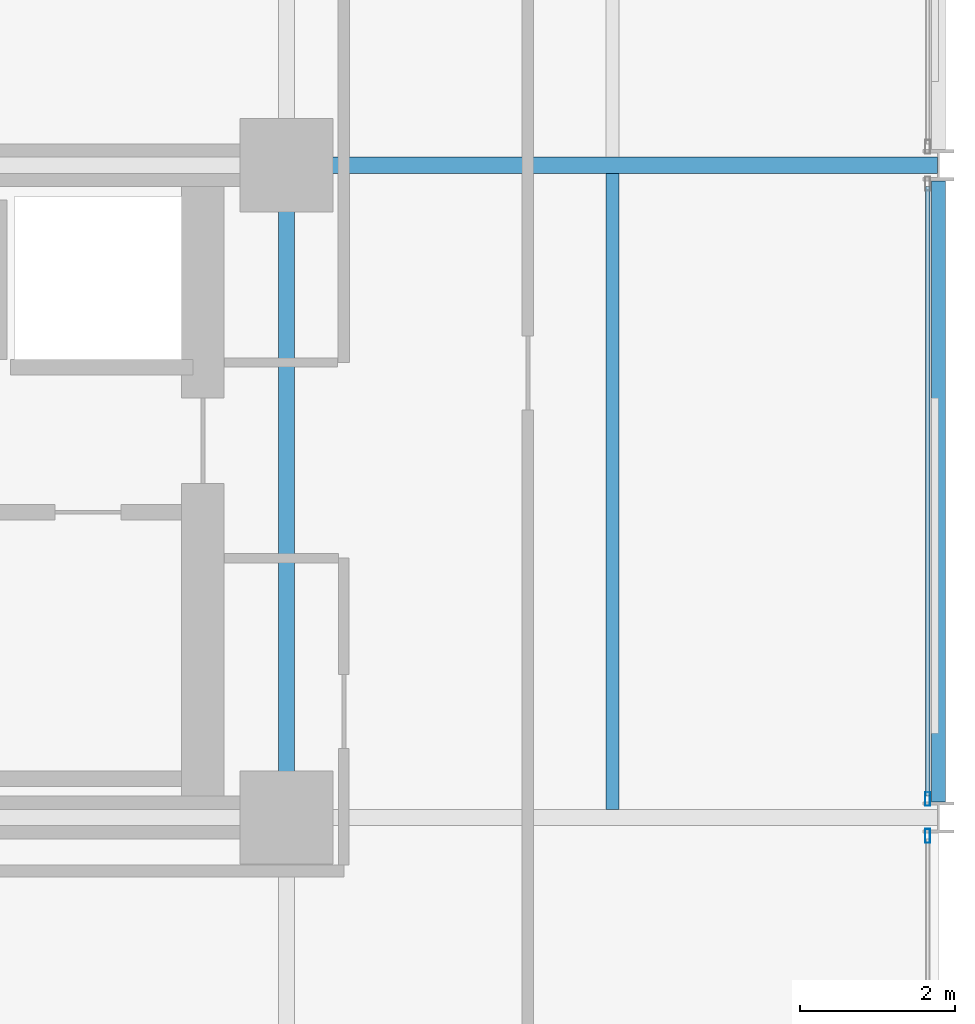
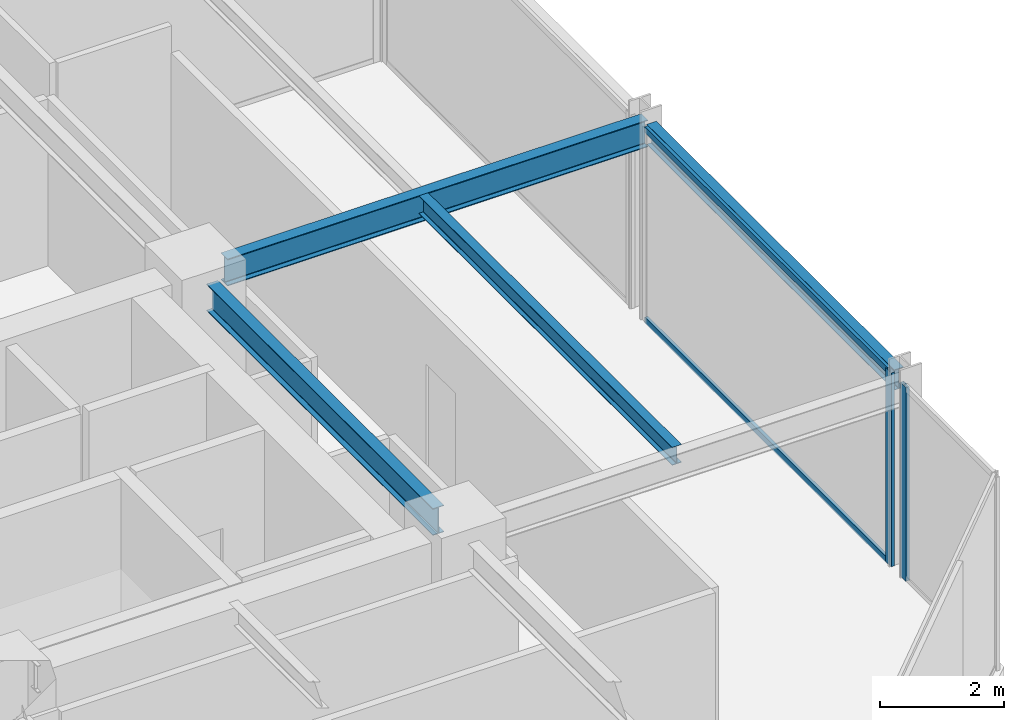
# One storey, part 14 of 29: 4 beams, 4 members, 2 elements without a shape of their own.
"""IFC4 building model written with IfcOpenShell, lengths in metres."""

from ifc_helpers import new_model, si_unit, direction, frame, origin, origin_2d, place, context, subcontext, project, spatial, hollow_rectangle, i_section, extrude, material, layer, layer_set, material_profile, profile_set, type_object, element, aggregate, save


model = new_model("IFC4")

# Units and contexts
model_context = context("Model", 3, precision=1e-05, world=origin(), true_north=direction((0.0, 1.0)))
body_context = subcontext(model_context, "Body", "Model", "MODEL_VIEW")
ifc_project = project(units=[si_unit("LENGTHUNIT", "METRE"), si_unit("AREAUNIT", "SQUARE_METRE"), si_unit("VOLUMEUNIT", "CUBIC_METRE"), si_unit("PLANEANGLEUNIT", "RADIAN"), si_unit("MASSUNIT", "GRAM", prefix="KILO")], contexts=[model_context])

# Site, building, storey
site_placement = place(None, origin())
site = spatial("IfcSite", under=ifc_project, at=site_placement, CompositionType="ELEMENT")
building_placement = place(site_placement, origin())
building = spatial("IfcBuilding", under=site, at=building_placement, Name="Nerrivon Quay Data Exchange", CompositionType="ELEMENT")
storey_placement = place(building_placement, frame((0.0, 0.0, 121.300048828125)))
storey = spatial("IfcBuildingStorey", under=building, at=storey_placement, Name="L28", CompositionType="ELEMENT", Elevation=121.300048828125)

# Beams
ifc_material_1 = material(Name="Steel Grade 350", Category="steel")
ifc_material_profile_1 = material_profile(ifc_material_1, i_section(OverallWidth=0.208984375, OverallDepth=0.532958984375, WebThickness=0.01025390625, FlangeThickness=0.015625, FilletRadius=0.013916015625, at=origin_2d()), Name="530UB92.4")
ifc_profile_set_1 = profile_set([ifc_material_profile_1], Name="Steel Grade 350")
beam_type_1 = type_object("IfcBeamType", Name="BM-G3-530UB92", PredefinedType="BEAM", material=ifc_profile_set_1)
beam_1_placement = place(storey_placement, frame((34.139892578125, 16.800048828125, 3.558349609375), z_axis=(1.0, 0.0, 0.0), x_axis=(0.0, 1.0, 0.0)))
element("IfcBeam", 1, at=beam_1_placement, inside=storey, type_object=beam_type_1, Name="L28 EW Girder Y=16.8 (33.6..42.0)", PredefinedType="BEAM", context=body_context, shape_type="SweptSolid", body=[
    extrude(i_section(OverallWidth=0.208984375, OverallDepth=0.532958984375, WebThickness=0.01025390625, FlangeThickness=0.015625, FilletRadius=0.013916015625, at=origin_2d()), origin(), (0.0, 0.0, 1.0), 7.84765625),
])
ifc_material_profile_2 = material_profile(ifc_material_1, i_section(OverallWidth=0.208984375, OverallDepth=0.528076171875, WebThickness=0.009521484375, FlangeThickness=0.01318359375, FilletRadius=0.013916015625, at=origin_2d()), Name="530UB82.0")
ifc_profile_set_2 = profile_set([ifc_material_profile_2], Name="Steel Grade 350")
beam_type_2 = type_object("IfcBeamType", Name="BM-G4-530UB82", PredefinedType="BEAM", material=ifc_profile_set_2)
beam_2_placement = place(storey_placement, frame((33.60009765625, 8.93994140625, 3.56103515625), z_axis=(0.0, 1.0, 0.0), x_axis=(-1.0, 0.0, 0.0)))
element("IfcBeam", 2, at=beam_2_placement, inside=storey, type_object=beam_type_2, Name="L28 NS Girder X=33.6 (8.4..16.8)", PredefinedType="BEAM", context=body_context, shape_type="SweptSolid", body=[
    extrude(i_section(OverallWidth=0.208984375, OverallDepth=0.528076171875, WebThickness=0.009521484375, FlangeThickness=0.01318359375, FilletRadius=0.013916015625, at=origin_2d()), origin(), (0.0, 0.0, 1.0), 7.320068359375),
])
ifc_material_profile_3 = material_profile(ifc_material_1, i_section(OverallWidth=0.1708984375, OverallDepth=0.35595703125, WebThickness=0.00732421875, FlangeThickness=0.011474609375, FilletRadius=0.011474609375, at=origin_2d()), Name="360UB50.7")
ifc_profile_set_3 = profile_set([ifc_material_profile_3], Name="Steel Grade 350")
beam_type_3 = type_object("IfcBeamType", Name="BM-J4-360UB51", PredefinedType="JOIST", material=ifc_profile_set_3)
beam_3_placement = place(storey_placement, frame((37.800048828125, 8.50439453125, 3.64697265625), z_axis=(0.0, 1.0, 0.0), x_axis=(-1.0, 0.0, 0.0)))
element("IfcBeam", 3, at=beam_3_placement, inside=storey, type_object=beam_type_3, Name="L28 Secondary Joist X=37.8 (8.4..16.8)", PredefinedType="JOIST", context=body_context, shape_type="SweptSolid", body=[
    extrude(i_section(OverallWidth=0.1708984375, OverallDepth=0.35595703125, WebThickness=0.00732421875, FlangeThickness=0.011474609375, FilletRadius=0.011474609375, at=origin_2d()), origin(), (0.0, 0.0, 1.0), 8.191162109375),
])
ifc_material_profile_4 = material_profile(ifc_material_1, i_section(OverallWidth=0.177978515625, OverallDepth=0.403076171875, WebThickness=0.007568359375, FlangeThickness=0.010986328125, FilletRadius=0.011474609375, at=origin_2d()), Name="410UB53.7")
ifc_profile_set_4 = profile_set([ifc_material_profile_4], Name="Steel Grade 350")
beam_type_4 = type_object("IfcBeamType", Name="BM-SP2-410UB54", PredefinedType="SPANDREL", material=ifc_profile_set_4)
beam_4_placement = place(storey_placement, frame((42.0, 8.60009765625, 3.62353515625), z_axis=(0.0, 1.0, 0.0), x_axis=(-1.0, 0.0, 0.0)))
element("IfcBeam", 4, at=beam_4_placement, inside=storey, type_object=beam_type_4, Name="L28 NS Girder X=42.0 (8.4..16.8)", PredefinedType="SPANDREL", context=body_context, shape_type="SweptSolid", body=[
    extrude(i_section(OverallWidth=0.177978515625, OverallDepth=0.403076171875, WebThickness=0.007568359375, FlangeThickness=0.010986328125, FilletRadius=0.011474609375, at=origin_2d()), origin(), (0.0, 0.0, 1.0), 8.0),
])

# Curtain wall, member
ifc_material_2 = material(Name="Anodised aluminium 6063-T6", Category="aluminium")
ifc_layer = layer(ifc_material_2, 0.2099609375)
ifc_layer_set = layer_set([ifc_layer], Name="Anodised aluminium 6063-T6")
curtain_wall_type = type_object("IfcCurtainWallType", Name="CW-SYS-02", PredefinedType="NOTDEFINED", material=ifc_layer_set)
curtain_wall_1_placement = place(storey_placement, origin())
curtain_wall_1 = element("IfcCurtainWall", 5, at=curtain_wall_1_placement, inside=storey, type_object=curtain_wall_type, Name="L28 Unitised Curtain Wall 29", PredefinedType="NOTDEFINED")
ifc_material_profile_5 = material_profile(ifc_material_2, hollow_rectangle(XDim=0.06494140625, YDim=0.179931640625, WallThickness=0.00341796875, at=origin_2d()), Name="ALU-MULL-180x65")
ifc_profile_set_5 = profile_set([ifc_material_profile_5], Name="Anodised aluminium 6063-T6")
member_type_1 = type_object("IfcMemberType", Name="CWM-180x65", PredefinedType="MULLION", material=ifc_profile_set_5)
member_1_placement = place(storey_placement, frame((41.860107421875, 8.637451171875, 0.0), z_axis=(0.0, 0.0, 1.0), x_axis=(1.0, 0.0, 0.0)))
member_1 = element("IfcMember", 6, at=member_1_placement, type_object=member_type_1, Name="CW02 mullion 2", PredefinedType="MULLION", context=body_context, shape_type="SweptSolid", body=[
    extrude(hollow_rectangle(XDim=0.06494140625, YDim=0.179931640625, WallThickness=0.00341796875, at=origin_2d()), origin(), (0.0, 0.0, 1.0), 3.824951171875),
])

curtain_wall_2_placement = place(storey_placement, origin())
curtain_wall_2 = element("IfcCurtainWall", 7, at=curtain_wall_2_placement, inside=storey, type_object=curtain_wall_type, Name="L28 Unitised Curtain Wall 30", PredefinedType="NOTDEFINED")
member_2_placement = place(storey_placement, frame((41.860107421875, 8.16259765625, 0.0), z_axis=(0.0, 0.0, 1.0), x_axis=(1.0, 0.0, 0.0)))
member_2 = element("IfcMember", 8, at=member_2_placement, type_object=member_type_1, Name="CW02 mullion 1", PredefinedType="MULLION", context=body_context, shape_type="SweptSolid", body=[
    extrude(hollow_rectangle(XDim=0.06494140625, YDim=0.179931640625, WallThickness=0.00341796875, at=origin_2d()), origin(), (0.0, 0.0, 1.0), 3.824951171875),
])
aggregate(curtain_wall_2, [member_2])

# Member
ifc_material_profile_6 = material_profile(ifc_material_2, hollow_rectangle(XDim=0.06005859375, YDim=0.1201171875, WallThickness=0.003173828125, at=origin_2d()), Name="ALU-TRAN-120x60")
ifc_profile_set_6 = profile_set([ifc_material_profile_6], Name="Anodised aluminium 6063-T6")
member_type_2 = type_object("IfcMemberType", Name="CWT-120x60", PredefinedType="USERDEFINED", material=ifc_profile_set_6)
member_3_placement = place(storey_placement, frame((41.860107421875, 16.52490234375, 0.032470703125), z_axis=(0.0, -1.0, 0.0), x_axis=(1.0, 0.0, 0.0)))
member_3 = element("IfcMember", 9, at=member_3_placement, type_object=member_type_2, Name="CW02 transom 1.1", ObjectType="TRANSOM", PredefinedType="USERDEFINED", context=body_context, shape_type="SweptSolid", body=[
    extrude(hollow_rectangle(XDim=0.06005859375, YDim=0.1201171875, WallThickness=0.003173828125, at=origin_2d()), origin(), (0.0, 0.0, 1.0), 7.849853515625),
])

member_4_placement = place(storey_placement, frame((41.860107421875, 16.52490234375, 3.79248046875), z_axis=(0.0, -1.0, 0.0), x_axis=(1.0, 0.0, 0.0)))
member_4 = element("IfcMember", 10, at=member_4_placement, type_object=member_type_2, Name="CW02 transom 1.2", ObjectType="TRANSOM", PredefinedType="USERDEFINED", context=body_context, shape_type="SweptSolid", body=[
    extrude(hollow_rectangle(XDim=0.06005859375, YDim=0.1201171875, WallThickness=0.003173828125, at=origin_2d()), origin(), (0.0, 0.0, 1.0), 7.849853515625),
])

aggregate(curtain_wall_1, [member_1, member_3, member_4])

save(model, "model.ifc")
